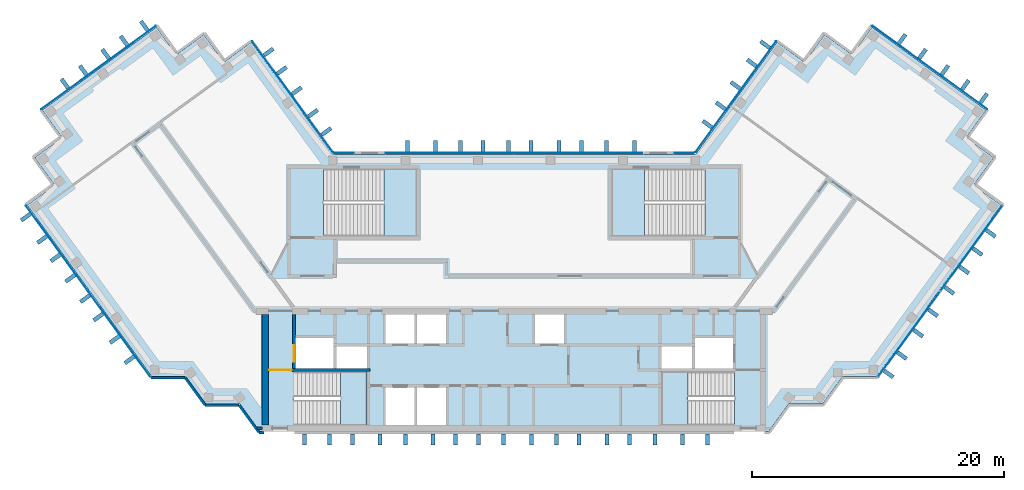
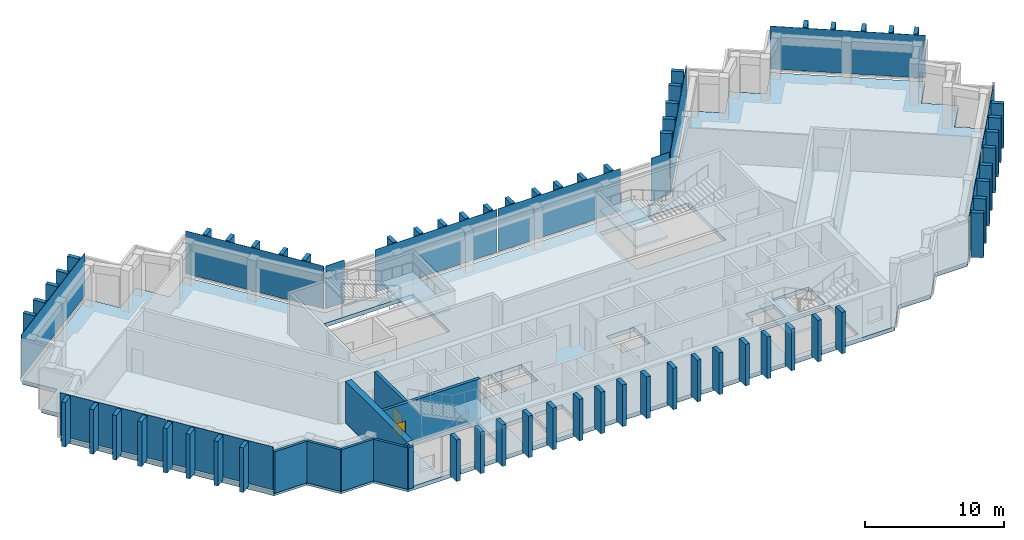
"""IFC4 building model written with IfcOpenShell, lengths in metres."""

import ifcopenshell
import ifcopenshell.guid

model = None  # the IFC model being written
_history = None  # IfcOwnerHistory: only IFC2X3 demands one
_inside = {}  # id of a spatial element -> (the spatial element, [elements in it])
_under = {}  # id of a project, library or spatial element -> (it, [spatial elements below it])
_declared = {}  # id of a project -> (the project, [libraries it declares])
_typed = {}  # id of a type object -> (the type object, [elements of that type])
_made_of = {}  # id of a material, layer set ... -> (it, [elements and type objects made of it])


def new_model(schema):
    """Start an empty IFC model of exactly this schema.

    Asked for "IFC4X3", IfcOpenShell would pick the latest addendum, in which some entities
    have other attributes; the version numbers below select the first issue.
    IFC2X3 requires an IfcOwnerHistory on every rooted entity: one is made here for all.
    """
    global model, _history
    if schema == "IFC4X3":
        model = ifcopenshell.file(schema_version=(4, 3, 0, 0))
    else:
        model = ifcopenshell.file(schema=schema)
    _inside.clear()
    _under.clear()
    _declared.clear()
    _typed.clear()
    _made_of.clear()
    _history = None
    if model.schema == "IFC2X3":
        org = make("IfcOrganization", Name="unknown")
        user = make(
            "IfcPersonAndOrganization",
            ThePerson=make("IfcPerson", FamilyName="unknown"),
            TheOrganization=org,
        )
        app = make(
            "IfcApplication",
            ApplicationDeveloper=org,
            Version="unknown",
            ApplicationFullName="unknown",
            ApplicationIdentifier="unknown",
        )
        _history = make(
            "IfcOwnerHistory",
            OwningUser=user,
            OwningApplication=app,
            ChangeAction="ADDED",
            CreationDate=0,
        )
    return model


def make(cls, **values):
    """One entity of the class cls with the attributes given. An attribute that is None is left unset."""
    return model.create_entity(
        cls, **{name: value for name, value in values.items() if value is not None}
    )


def rooted(cls, **values):
    """An entity with a GlobalId (a new one), such as an element, a storey or a relation."""
    return make(cls, GlobalId=ifcopenshell.guid.new(), OwnerHistory=_history, **values)


def si_unit(unit_type, name, prefix=None):
    """IfcSIUnit, for example si_unit("LENGTHUNIT", "METRE", prefix="MILLI")."""
    return make("IfcSIUnit", UnitType=unit_type, Prefix=prefix, Name=name)


def assignment(units):
    """IfcUnitAssignment: the units of a project."""
    return None if units is None else make("IfcUnitAssignment", Units=units)


def point(xyz):
    """IfcCartesianPoint."""
    return None if xyz is None else make("IfcCartesianPoint", Coordinates=xyz)


def direction(xyz):
    """IfcDirection."""
    return None if xyz is None else make("IfcDirection", DirectionRatios=xyz)


def frame(location, z_axis=None, x_axis=None):
    """IfcAxis2Placement3D, a coordinate frame: its origin and axes. An axis left out is left unset."""
    return make(
        "IfcAxis2Placement3D",
        Location=point(location),
        Axis=direction(z_axis),
        RefDirection=direction(x_axis),
    )


def frame_2d(location, x_axis=None):
    """IfcAxis2Placement2D, a coordinate frame in the plane: its origin and x axis."""
    return make(
        "IfcAxis2Placement2D", Location=point(location), RefDirection=direction(x_axis)
    )


def origin():
    """The frame at (0, 0, 0) with its axes left unset."""
    return frame((0.0, 0.0, 0.0))


def origin_2d():
    """The frame at (0, 0) in the plane with its x axis left unset."""
    return frame_2d((0.0, 0.0))


def place(relative_to, where):
    """IfcLocalPlacement: puts the frame where relative to a parent placement (None: the world)."""
    return make(
        "IfcLocalPlacement", PlacementRelTo=relative_to, RelativePlacement=where
    )


def context(
    kind, dimensions, precision=None, world=None, true_north=None, identifier=None
):
    """IfcGeometricRepresentationContext, for example the 3D "Model" context."""
    return make(
        "IfcGeometricRepresentationContext",
        ContextIdentifier=identifier,
        ContextType=kind,
        CoordinateSpaceDimension=dimensions,
        Precision=precision,
        WorldCoordinateSystem=world,
        TrueNorth=true_north,
    )


def subcontext(parent, identifier, kind, view, scale=None):
    """IfcGeometricRepresentationSubContext, for example "Body" below "Model"."""
    return make(
        "IfcGeometricRepresentationSubContext",
        ContextIdentifier=identifier,
        ContextType=kind,
        ParentContext=parent,
        TargetScale=scale,
        TargetView=view,
    )


def project(units=None, contexts=None):
    """IfcProject with its units and contexts."""
    return rooted(
        "IfcProject",
        Name="project",
        RepresentationContexts=contexts,
        UnitsInContext=assignment(units),
    )


def spatial(cls, under=None, at=None, **own):
    """A site, building, storey or space (cls), placed at a placement, below another one or the project."""
    s = rooted(cls, ObjectPlacement=at, **own)
    if under is not None:
        _under.setdefault(under.id(), (under, []))[1].append(s)
    return s


def polyline(points):
    """IfcPolyline through the points."""
    return make("IfcPolyline", Points=[point(p) for p in points])


def profile(cls, at=None, kind="AREA", **sizes):
    """A parametric profile (cls). Its sizes go by their IFC names, for example OverallWidth=200.0."""
    return make(cls, ProfileType=kind, Position=at, **sizes)


def rectangle(**sizes):
    """IfcRectangleProfileDef."""
    return profile("IfcRectangleProfileDef", **sizes)


def outline(outer, holes=None, kind="AREA"):
    """IfcArbitraryClosedProfileDef: a profile drawn as a closed curve; with holes, ...WithVoids."""
    if holes is None:
        return make("IfcArbitraryClosedProfileDef", ProfileType=kind, OuterCurve=outer)
    return make(
        "IfcArbitraryProfileDefWithVoids",
        ProfileType=kind,
        OuterCurve=outer,
        InnerCurves=holes,
    )


def extrude(swept, where, along, depth):
    """IfcExtrudedAreaSolid: the profile swept, set in the frame where, extruded along a direction by depth."""
    return make(
        "IfcExtrudedAreaSolid",
        SweptArea=swept,
        Position=where,
        ExtrudedDirection=direction(along),
        Depth=depth,
    )


def shape(context_of_items, identifier, shape_type, items):
    """IfcShapeRepresentation: the items that make up one representation, for example the "Body"."""
    return make(
        "IfcShapeRepresentation",
        ContextOfItems=context_of_items,
        RepresentationIdentifier=identifier,
        RepresentationType=shape_type,
        Items=items,
    )


def material(Name=None, Category=None):
    """IfcMaterial."""
    return make("IfcMaterial", Name=Name, Category=Category)


def layer(
    of_material, thickness, ventilated=None, Name=None, Category=None, Priority=None
):
    """IfcMaterialLayer: one layer of a wall or slab, of a material (None: an air gap)."""
    return make(
        "IfcMaterialLayer",
        Material=of_material,
        LayerThickness=thickness,
        IsVentilated=ventilated,
        Name=Name,
        Category=Category,
        Priority=Priority,
    )


def layer_set(layers, Name=None):
    """IfcMaterialLayerSet."""
    return make("IfcMaterialLayerSet", MaterialLayers=layers, LayerSetName=Name)


def made_of(thing, what):
    """Note that an element or type object is made of a material, layer set ...; save() writes the relation."""
    if what is not None:
        _made_of.setdefault(what.id(), (what, []))[1].append(thing)
    return thing


def type_object(cls, material=None, **own):
    """A type object (cls), such as IfcWallType, which elements share."""
    return made_of(rooted(cls, **own), material)


def element(
    cls,
    number,
    at=None,
    inside=None,
    cuts=None,
    type_object=None,
    material=None,
    context=None,
    identifier="Body",
    shape_type=None,
    held_by="IfcProductDefinitionShape",
    body=None,
    shapes=None,
    **own,
):
    """One element of the class cls, such as IfcWall. Its Tag is "e" and its number.

    at: its placement. inside: the storey or other place that contains it. cuts: it is an
    opening in that element (IfcRelVoidsElement). A single representation is given by context,
    identifier, shape_type and body (its items); several are given by shapes. held_by: the class
    of the entity that holds the representations. save() writes the other relations.
    """
    e = rooted(cls, Tag="e%d" % number, ObjectPlacement=at, **own)
    if body is not None:
        shapes = [shape(context, identifier, shape_type, body)]
    if shapes is not None:
        e.Representation = make(held_by, Representations=shapes)
    if inside is not None:
        _inside.setdefault(inside.id(), (inside, []))[1].append(e)
    if cuts is not None:
        rooted(
            "IfcRelVoidsElement", RelatingBuildingElement=cuts, RelatedOpeningElement=e
        )
    if type_object is not None:
        _typed.setdefault(type_object.id(), (type_object, []))[1].append(e)
    return made_of(e, material)


def fill(opening, filler):
    """IfcRelFillsElement: the door or window that sits in an opening."""
    return rooted(
        "IfcRelFillsElement",
        RelatingOpeningElement=opening,
        RelatedBuildingElement=filler,
    )


def aggregate(whole, parts):
    """IfcRelAggregates: a whole, such as a stair, and the parts it consists of."""
    return rooted("IfcRelAggregates", RelatingObject=whole, RelatedObjects=parts)


def save(model, path):
    """Write the relations noted so far, then the file.

    IfcRelAggregates (storeys below a building ...), IfcRelContainedInSpatialStructure (elements
    in a storey), IfcRelDefinesByType, IfcRelAssociatesMaterial and IfcRelDeclares: one each for
    every whole, place, type object, material and project.
    """
    for whole, parts in _under.values():
        aggregate(whole, parts)
    for where, things in _inside.values():
        rooted(
            "IfcRelContainedInSpatialStructure",
            RelatedElements=things,
            RelatingStructure=where,
        )
    for kind, things in _typed.values():
        rooted("IfcRelDefinesByType", RelatedObjects=things, RelatingType=kind)
    for what, things in _made_of.values():
        rooted("IfcRelAssociatesMaterial", RelatedObjects=things, RelatingMaterial=what)
    for by, libraries in _declared.values():
        rooted("IfcRelDeclares", RelatingContext=by, RelatedDefinitions=libraries)
    model.write(path)


model = new_model("IFC4")

# Units and contexts
model_context = context("Model", 3, precision=1e-05, world=origin(), true_north=direction((0.0, 1.0)))
body_context = subcontext(model_context, "Body", "Model", "MODEL_VIEW")
ifc_project = project(units=[si_unit("LENGTHUNIT", "METRE"), si_unit("AREAUNIT", "SQUARE_METRE"), si_unit("VOLUMEUNIT", "CUBIC_METRE"), si_unit("PLANEANGLEUNIT", "RADIAN"), si_unit("MASSUNIT", "GRAM", prefix="KILO")], contexts=[model_context])

# Site, building, storey
site_placement = place(None, origin())
site = spatial("IfcSite", under=ifc_project, at=site_placement, CompositionType="ELEMENT")
building_placement = place(site_placement, origin())
building = spatial("IfcBuilding", under=site, at=building_placement, Name="Quipu Civic Tower", CompositionType="ELEMENT")
storey_1_placement = place(building_placement, frame((0.0, 0.0, 307.0)))
storey_1 = spatial("IfcBuildingStorey", under=building, at=storey_1_placement, Name="L71", CompositionType="ELEMENT", Elevation=307.0)

# Slab
ifc_material_1 = material(Name="Concrete C40/50", Category="concrete")
ifc_layer_1 = layer(ifc_material_1, 0.35009765625)
ifc_layer_set_1 = layer_set([ifc_layer_1], Name="Concrete C40/50")
slab_type_1 = type_object("IfcSlabType", Name="Floor slab 350 C40/50", PredefinedType="FLOOR", material=ifc_layer_set_1)
slab_1_placement = place(storey_1_placement, frame((0.0, 0.0, -0.35009765625)))
element("IfcSlab", 1, at=slab_1_placement, inside=storey_1, type_object=slab_type_1, Name="Floor slab L71", PredefinedType="FLOOR", context=body_context, shape_type="SweptSolid", body=[
    extrude(outline(polyline([(20.860107421875, 19.89501953125), (23.0400390625, 18.31005859375), (24.6298828125, 20.4951171875), (26.81494140625, 18.905029296875), (28.39990234375, 21.090087890625), (37.4599609375, 14.5048828125), (35.875, 12.320068359375), (38.06005859375, 10.735107421875), (36.469970703125, 8.550048828125), (38.655029296875, 6.965087890625), (28.780029296875, -6.6298828125), (26.080078125, -6.6298828125), (24.489990234375, -8.81494140625), (21.7900390625, -8.81494140625), (20.205078125, -11.0), (-20.205078125, -11.0), (-21.7900390625, -8.81494140625), (-24.489990234375, -8.81494140625), (-26.080078125, -6.6298828125), (-28.780029296875, -6.6298828125), (-38.655029296875, 6.965087890625), (-36.469970703125, 8.550048828125), (-38.06005859375, 10.735107421875), (-35.875, 12.320068359375), (-37.4599609375, 14.5048828125), (-28.39990234375, 21.090087890625), (-26.81494140625, 18.905029296875), (-24.6298828125, 20.4951171875), (-23.0400390625, 18.31005859375), (-20.860107421875, 19.89501953125), (-14.39501953125, 11.0), (14.39501953125, 11.0), (20.860107421875, 19.89501953125)]), holes=[polyline([(-10.199951171875, -10.5), (-7.89990234375, -10.5), (-7.89990234375, -7.5), (-10.199951171875, -7.5), (-10.199951171875, -10.5)]), polyline([(-7.699951171875, -7.5), (-7.699951171875, -10.5), (-5.39990234375, -10.5), (-5.39990234375, -7.5), (-7.699951171875, -7.5)]), polyline([(-11.705078125, -6.2548828125), (-17.4951171875, -6.2548828125), (-17.4951171875, -10.4951171875), (-11.705078125, -10.4951171875), (-11.705078125, -6.2548828125)]), polyline([(-14.10009765625, -6.0), (-11.699951171875, -6.0), (-11.699951171875, -4.25), (-14.10009765625, -4.25), (-14.10009765625, -6.0)]), polyline([(-17.35009765625, -3.60009765625), (-17.35009765625, -6.0), (-14.35009765625, -6.0), (-14.35009765625, -3.60009765625), (-17.35009765625, -3.60009765625)]), polyline([(-10.199951171875, -1.699951171875), (-10.199951171875, -4.0), (-7.89990234375, -4.0), (-7.89990234375, -1.699951171875), (-10.199951171875, -1.699951171875)]), polyline([(-15.14501953125, 9.844970703125), (-15.14501953125, 4.5048828125), (-7.7548828125, 4.5048828125), (-7.7548828125, 9.844970703125), (-15.14501953125, 9.844970703125)]), polyline([(11.705078125, -10.4951171875), (17.4951171875, -10.4951171875), (17.4951171875, -6.2548828125), (11.705078125, -6.2548828125), (11.705078125, -10.4951171875)]), polyline([(11.699951171875, -4.25), (11.699951171875, -6.0), (14.10009765625, -6.0), (14.10009765625, -4.25), (11.699951171875, -4.25)]), polyline([(14.35009765625, -3.60009765625), (14.35009765625, -6.0), (17.35009765625, -6.0), (17.35009765625, -3.60009765625), (14.35009765625, -3.60009765625)]), polyline([(-7.699951171875, -1.699951171875), (-7.699951171875, -4.0), (-5.39990234375, -4.0), (-5.39990234375, -1.699951171875), (-7.699951171875, -1.699951171875)]), polyline([(1.64990234375, -1.699951171875), (1.64990234375, -4.0), (3.949951171875, -4.0), (3.949951171875, -1.699951171875), (1.64990234375, -1.699951171875)]), polyline([(7.7548828125, 4.5048828125), (15.14501953125, 4.5048828125), (15.14501953125, 9.844970703125), (7.7548828125, 9.844970703125), (7.7548828125, 4.5048828125)])]), origin(), (0.0, 0.0, 1.0), 0.35009765625),
])

# Curtain wall, plates
ifc_material_2 = material(Name="Insulated glass unit", Category="glass")
curtain_wall_type = type_object("IfcCurtainWallType", Name="Office curtain wall CW1", PredefinedType="NOTDEFINED", material=ifc_material_2)
curtain_wall_1_placement = place(storey_1_placement, origin())
curtain_wall_1 = element("IfcCurtainWall", 2, at=curtain_wall_1_placement, inside=storey_1, type_object=curtain_wall_type, Name="Office curtain wall CW1 L71 run 1", PredefinedType="NOTDEFINED")
ifc_material_3 = material(Name="Insulated glass unit", Category="glass")
ifc_layer_2 = layer(ifc_material_3, 0.028076171875)
ifc_layer_set_2 = layer_set([ifc_layer_2], Name="Insulated glass unit")
plate_type_1 = type_object("IfcPlateType", Name="Glass panel CW1", PredefinedType="CURTAIN_PANEL", material=ifc_layer_set_2)
plate_1_placement = place(storey_1_placement, frame((31.333251953125, -3.285888671875, 0.240234375), z_axis=(0.0, 0.0, 1.0), x_axis=(0.587786237643, 0.809016278475, 0.0)))
plate_1 = element("IfcPlate", 3, at=plate_1_placement, type_object=plate_type_1, Name="CW1 panel 1.1", PredefinedType="CURTAIN_PANEL", context=body_context, shape_type="SweptSolid", body=[
    extrude(rectangle(XDim=8.35791015625, YDim=0.028076171875, at=origin_2d()), origin(), (0.0, 0.0, 1.0), 3.679931640625),
])
plate_2_placement = place(storey_1_placement, frame((36.292724609375, 3.54052734375, 0.240234375), z_axis=(0.0, 0.0, 1.0), x_axis=(0.587786237643, 0.809016278475, 0.0)))
plate_2 = element("IfcPlate", 4, at=plate_2_placement, type_object=plate_type_1, Name="CW1 panel 2.1", PredefinedType="CURTAIN_PANEL", context=body_context, shape_type="SweptSolid", body=[
    extrude(rectangle(XDim=8.35791015625, YDim=0.028076171875, at=origin_2d()), origin(), (0.0, 0.0, 1.0), 3.679931640625),
])
aggregate(curtain_wall_1, [plate_1, plate_2])

# Storey
storey_2_placement = place(building_placement, frame((0.0, 0.0, 311.0)))
storey_2 = spatial("IfcBuildingStorey", under=building, at=storey_2_placement, Name="L72", CompositionType="ELEMENT", Elevation=311.0)

# Curtain wall, plate
curtain_wall_2_placement = place(storey_2_placement, origin())
curtain_wall_2 = element("IfcCurtainWall", 5, at=curtain_wall_2_placement, inside=storey_2, type_object=curtain_wall_type, Name="Office curtain wall CW1 L71 run 6", PredefinedType="NOTDEFINED")
plate_3_placement = place(storey_1_placement, frame((32.989990234375, 17.87939453125, 0.240234375), z_axis=(0.0, 0.0, 1.0), x_axis=(-0.809015176832, 0.587787753918, 0.0)))
plate_3 = element("IfcPlate", 6, at=plate_3_placement, inside=storey_1, type_object=plate_type_1, Name="CW1 panel 1.1", PredefinedType="CURTAIN_PANEL", context=body_context, shape_type="SweptSolid", body=[
    extrude(rectangle(XDim=11.239990234375, YDim=0.028076171875, at=origin_2d()), origin(), (0.0, 0.0, 1.0), 3.760009765625),
])
aggregate(curtain_wall_2, [plate_3])

curtain_wall_3_placement = place(storey_2_placement, origin())
curtain_wall_3 = element("IfcCurtainWall", 7, at=curtain_wall_3_placement, inside=storey_2, type_object=curtain_wall_type, Name="Office curtain wall CW1 L71 run 11", PredefinedType="NOTDEFINED")
plate_4_placement = place(storey_1_placement, frame((17.590087890625, 15.5673828125, 0.240234375), z_axis=(0.0, 0.0, 1.0), x_axis=(-0.587787771652, -0.809015163947, 0.0)))
plate_4 = element("IfcPlate", 8, at=plate_4_placement, inside=storey_1, type_object=plate_type_1, Name="CW1 panel 1.1", PredefinedType="CURTAIN_PANEL", context=body_context, shape_type="SweptSolid", body=[
    extrude(rectangle(XDim=10.88427734375, YDim=0.028076171875, at=origin_2d()), origin(), (0.0, 0.0, 1.0), 3.760009765625),
])
aggregate(curtain_wall_3, [plate_4])

curtain_wall_4_placement = place(storey_2_placement, origin())
curtain_wall_4 = element("IfcCurtainWall", 9, at=curtain_wall_4_placement, inside=storey_2, type_object=curtain_wall_type, Name="Office curtain wall CW1 L71 run 12", PredefinedType="NOTDEFINED")
plate_5_placement = place(storey_1_placement, frame((13.49951171875, 11.10009765625, 0.240234375), z_axis=(0.0, 0.0, 1.0), x_axis=(-1.0, 0.0, 0.0)))
plate_5 = element("IfcPlate", 10, at=plate_5_placement, inside=storey_1, type_object=plate_type_1, Name="CW1 panel 1.1", PredefinedType="CURTAIN_PANEL", context=body_context, shape_type="SweptSolid", body=[
    extrude(rectangle(XDim=1.529296875, YDim=0.028076171875, at=origin_2d()), origin(), (0.0, 0.0, 1.0), 3.760009765625),
])
aggregate(curtain_wall_4, [plate_5])

# Curtain wall, plates
curtain_wall_5_placement = place(storey_2_placement, origin())
curtain_wall_5 = element("IfcCurtainWall", 11, at=curtain_wall_5_placement, inside=storey_2, type_object=curtain_wall_type, Name="Office curtain wall CW1 L71 run 14", PredefinedType="NOTDEFINED")
plate_6_placement = place(storey_1_placement, frame((5.11181640625, 11.10009765625, 0.240234375), z_axis=(0.0, 0.0, 1.0), x_axis=(-1.0, 0.0, 0.0)))
plate_6 = element("IfcPlate", 12, at=plate_6_placement, inside=storey_1, type_object=plate_type_1, Name="CW1 panel 1.1", PredefinedType="CURTAIN_PANEL", context=body_context, shape_type="SweptSolid", body=[
    extrude(rectangle(XDim=10.1435546875, YDim=0.028076171875, at=origin_2d()), origin(), (0.0, 0.0, 1.0), 3.760009765625),
])
plate_7_placement = place(storey_1_placement, frame((-5.11181640625, 11.10009765625, 0.240234375), z_axis=(0.0, 0.0, 1.0), x_axis=(-1.0, 0.0, 0.0)))
plate_7 = element("IfcPlate", 13, at=plate_7_placement, inside=storey_1, type_object=plate_type_1, Name="CW1 panel 2.1", PredefinedType="CURTAIN_PANEL", context=body_context, shape_type="SweptSolid", body=[
    extrude(rectangle(XDim=10.1435546875, YDim=0.028076171875, at=origin_2d()), origin(), (0.0, 0.0, 1.0), 3.760009765625),
])
aggregate(curtain_wall_5, [plate_6, plate_7])

# Curtain wall, plate
curtain_wall_6_placement = place(storey_2_placement, origin())
curtain_wall_6 = element("IfcCurtainWall", 14, at=curtain_wall_6_placement, inside=storey_2, type_object=curtain_wall_type, Name="Office curtain wall CW1 L71 run 16", PredefinedType="NOTDEFINED")
plate_8_placement = place(storey_1_placement, frame((-13.49951171875, 11.10009765625, 0.240234375), z_axis=(0.0, 0.0, 1.0), x_axis=(-1.0, 0.0, 0.0)))
plate_8 = element("IfcPlate", 15, at=plate_8_placement, inside=storey_1, type_object=plate_type_1, Name="CW1 panel 1.1", PredefinedType="CURTAIN_PANEL", context=body_context, shape_type="SweptSolid", body=[
    extrude(rectangle(XDim=1.529296875, YDim=0.028076171875, at=origin_2d()), origin(), (0.0, 0.0, 1.0), 3.760009765625),
])
aggregate(curtain_wall_6, [plate_8])

curtain_wall_7_placement = place(storey_2_placement, origin())
curtain_wall_7 = element("IfcCurtainWall", 16, at=curtain_wall_7_placement, inside=storey_2, type_object=curtain_wall_type, Name="Office curtain wall CW1 L71 run 17", PredefinedType="NOTDEFINED")
plate_9_placement = place(storey_1_placement, frame((-17.590087890625, 15.5673828125, 0.240234375), z_axis=(0.0, 0.0, 1.0), x_axis=(-0.587787771652, 0.809015163947, 0.0)))
plate_9 = element("IfcPlate", 17, at=plate_9_placement, inside=storey_1, type_object=plate_type_1, Name="CW1 panel 1.1", PredefinedType="CURTAIN_PANEL", context=body_context, shape_type="SweptSolid", body=[
    extrude(rectangle(XDim=10.88427734375, YDim=0.028076171875, at=origin_2d()), origin(), (0.0, 0.0, 1.0), 3.760009765625),
])
aggregate(curtain_wall_7, [plate_9])

curtain_wall_8_placement = place(storey_2_placement, origin())
curtain_wall_8 = element("IfcCurtainWall", 18, at=curtain_wall_8_placement, inside=storey_2, type_object=curtain_wall_type, Name="Office curtain wall CW1 L71 run 22", PredefinedType="NOTDEFINED")
plate_10_placement = place(storey_1_placement, frame((-32.989990234375, 17.87939453125, 0.240234375), z_axis=(0.0, 0.0, 1.0), x_axis=(-0.809015176832, -0.587787753918, 0.0)))
plate_10 = element("IfcPlate", 19, at=plate_10_placement, inside=storey_1, type_object=plate_type_1, Name="CW1 panel 1.1", PredefinedType="CURTAIN_PANEL", context=body_context, shape_type="SweptSolid", body=[
    extrude(rectangle(XDim=11.239990234375, YDim=0.028076171875, at=origin_2d()), origin(), (0.0, 0.0, 1.0), 3.760009765625),
])
aggregate(curtain_wall_8, [plate_10])

# Curtain wall, plates
curtain_wall_9_placement = place(storey_2_placement, origin())
curtain_wall_9 = element("IfcCurtainWall", 20, at=curtain_wall_9_placement, inside=storey_2, type_object=curtain_wall_type, Name="Office curtain wall CW1 L71 run 27", PredefinedType="NOTDEFINED")
plate_11_placement = place(storey_1_placement, frame((-36.292724609375, 3.54052734375, 0.240234375), z_axis=(0.0, 0.0, 1.0), x_axis=(0.587786237643, -0.809016278475, 0.0)))
plate_11 = element("IfcPlate", 21, at=plate_11_placement, inside=storey_1, type_object=plate_type_1, Name="CW1 panel 1.1", PredefinedType="CURTAIN_PANEL", context=body_context, shape_type="SweptSolid", body=[
    extrude(rectangle(XDim=8.35791015625, YDim=0.028076171875, at=origin_2d()), origin(), (0.0, 0.0, 1.0), 3.760009765625),
])
plate_12_placement = place(storey_1_placement, frame((-31.333251953125, -3.285888671875, 0.240234375), z_axis=(0.0, 0.0, 1.0), x_axis=(0.587786237643, -0.809016278475, 0.0)))
plate_12 = element("IfcPlate", 22, at=plate_12_placement, inside=storey_1, type_object=plate_type_1, Name="CW1 panel 2.1", PredefinedType="CURTAIN_PANEL", context=body_context, shape_type="SweptSolid", body=[
    extrude(rectangle(XDim=8.35791015625, YDim=0.028076171875, at=origin_2d()), origin(), (0.0, 0.0, 1.0), 3.760009765625),
])
aggregate(curtain_wall_9, [plate_11, plate_12])

# Plates
ifc_material_4 = material(Name="Precast concrete C40/50", Category="concrete")
plate_type_2 = type_object("IfcPlateType", Name="Precast fin F3", PredefinedType="SHEET", material=ifc_material_4)
for number, where, z_axis, x_axis, name in (
    (23, (29.721923828125, -6.43896484375, 0.080078125), (0.0, 0.0, 1.0), (0.587786668783, 0.809015965233, 0.0), "Precast fin F3 L71.1.1"),
    (24, (30.780029296875, -4.982666015625, 0.080078125), (0.0, 0.0, 1.0), (0.587786668783, 0.809015965233, 0.0), "Precast fin F3 L71.1.2"),
    (25, (32.0732421875, -3.202880859375, 0.080078125), (0.0, 0.0, 1.0), (0.587786668783, 0.809015965233, 0.0), "Precast fin F3 L71.1.3"),
    (26, (33.248779296875, -1.5849609375, 0.080078125), (0.0, 0.0, 1.0), (0.587786668783, 0.809015965233, 0.0), "Precast fin F3 L71.1.4"),
    (27, (34.541748046875, 0.195068359375, 0.080078125), (0.0, 0.0, 1.0), (0.587786668783, 0.809015965233, 0.0), "Precast fin F3 L71.1.5"),
    (28, (35.717529296875, 1.81298828125, 0.080078125), (0.0, 0.0, 1.0), (0.587786668783, 0.809015965233, 0.0), "Precast fin F3 L71.1.6"),
    (29, (36.775390625, 3.269287109375, 0.080078125), (0.0, 0.0, 1.0), (0.587786668783, 0.809015965233, 0.0), "Precast fin F3 L71.1.7"),
    (30, (37.83349609375, 4.725341796875, 0.080078125), (0.0, 0.0, 1.0), (0.587786668783, 0.809015965233, 0.0), "Precast fin F3 L71.1.8"),
    (31, (37.26953125, 15.449951171875, 0.080078125), (0.0, 0.0, 1.0), (-0.809017072762, 0.587785144401, 0.0), "Precast fin F3 L71.6.1"),
    (32, (35.813232421875, 16.508056640625, 0.080078125), (0.0, 0.0, 1.0), (-0.809017072762, 0.587785144401, 0.0), "Precast fin F3 L71.6.2"),
    (33, (34.1953125, 17.68359375, 0.080078125), (0.0, 0.0, 1.0), (-0.809017072762, 0.587785144401, 0.0), "Precast fin F3 L71.6.3"),
    (34, (32.415283203125, 18.976806640625, 0.080078125), (0.0, 0.0, 1.0), (-0.809017072762, 0.587785144401, 0.0), "Precast fin F3 L71.6.4"),
    (35, (30.79736328125, 20.15234375, 0.080078125), (0.0, 0.0, 1.0), (-0.809017072762, 0.587785144401, 0.0), "Precast fin F3 L71.6.5"),
    (36, (19.914794921875, 19.702880859375, 0.080078125), (0.0, 0.0, 1.0), (-0.58778443384, -0.809017589015, 0.0), "Precast fin F3 L71.11.1"),
    (37, (18.856689453125, 18.246826171875, 0.080078125), (0.0, 0.0, 1.0), (-0.58778443384, -0.809017589015, 0.0), "Precast fin F3 L71.11.2"),
    (38, (17.563720703125, 16.466796875, 0.080078125), (0.0, 0.0, 1.0), (-0.58778443384, -0.809017589015, 0.0), "Precast fin F3 L71.11.3"),
    (39, (16.38818359375, 14.848876953125, 0.080078125), (0.0, 0.0, 1.0), (-0.58778443384, -0.809017589015, 0.0), "Precast fin F3 L71.11.4"),
    (40, (15.330078125, 13.392578125, 0.080078125), (0.0, 0.0, 1.0), (-0.58778443384, -0.809017589015, 0.0), "Precast fin F3 L71.11.5"),
    (41, (9.5400390625, 11.64990234375, 0.080078125), (0.0, 0.0, 1.0), (-1.0, 0.0, 0.0), "Precast fin F3 L71.14.1"),
    (42, (7.340087890625, 11.64990234375, 0.080078125), (0.0, 0.0, 1.0), (-1.0, 0.0, 0.0), "Precast fin F3 L71.14.2"),
    (43, (5.340087890625, 11.64990234375, 0.080078125), (0.0, 0.0, 1.0), (-1.0, 0.0, 0.0), "Precast fin F3 L71.14.3"),
    (44, (3.5400390625, 11.64990234375, 0.080078125), (0.0, 0.0, 1.0), (-1.0, 0.0, 0.0), "Precast fin F3 L71.14.4"),
    (45, (1.340087890625, 11.64990234375, 0.080078125), (0.0, 0.0, 1.0), (-1.0, 0.0, 0.0), "Precast fin F3 L71.14.5"),
    (46, (-0.4599609375, 11.64990234375, 0.080078125), (0.0, 0.0, 1.0), (-1.0, 0.0, 0.0), "Precast fin F3 L71.14.6"),
    (47, (-2.4599609375, 11.64990234375, 0.080078125), (0.0, 0.0, 1.0), (-1.0, 0.0, 0.0), "Precast fin F3 L71.14.7"),
    (48, (-4.260009765625, 11.64990234375, 0.080078125), (0.0, 0.0, 1.0), (-1.0, 0.0, 0.0), "Precast fin F3 L71.14.8"),
    (49, (-6.260009765625, 11.64990234375, 0.080078125), (0.0, 0.0, 1.0), (-1.0, 0.0, 0.0), "Precast fin F3 L71.14.9"),
    (50, (-8.4599609375, 11.64990234375, 0.080078125), (0.0, 0.0, 1.0), (-1.0, 0.0, 0.0), "Precast fin F3 L71.14.10"),
    (51, (-14.90380859375, 12.805908203125, 0.080078125), (0.0, 0.0, 1.0), (-0.58778443384, 0.809017589015, 0.0), "Precast fin F3 L71.17.1"),
    (52, (-15.9619140625, 14.26220703125, 0.080078125), (0.0, 0.0, 1.0), (-0.58778443384, 0.809017589015, 0.0), "Precast fin F3 L71.17.2"),
    (53, (-17.2548828125, 16.0419921875, 0.080078125), (0.0, 0.0, 1.0), (-0.58778443384, 0.809017589015, 0.0), "Precast fin F3 L71.17.3"),
    (54, (-18.4306640625, 17.66015625, 0.080078125), (0.0, 0.0, 1.0), (-0.58778443384, 0.809017589015, 0.0), "Precast fin F3 L71.17.4"),
    (55, (-19.488525390625, 19.1162109375, 0.080078125), (0.0, 0.0, 1.0), (-0.58778443384, 0.809017589015, 0.0), "Precast fin F3 L71.17.5"),
    (56, (-29.357177734375, 21.198486328125, 0.080078125), (0.0, 0.0, 1.0), (-0.809017072762, -0.587785144401, 0.0), "Precast fin F3 L71.22.1"),
    (57, (-30.975341796875, 20.02294921875, 0.080078125), (0.0, 0.0, 1.0), (-0.809017072762, -0.587785144401, 0.0), "Precast fin F3 L71.22.2"),
    (58, (-32.431640625, 18.96484375, 0.080078125), (0.0, 0.0, 1.0), (-0.809017072762, -0.587785144401, 0.0), "Precast fin F3 L71.22.3"),
    (59, (-34.21142578125, 17.671875, 0.080078125), (0.0, 0.0, 1.0), (-0.809017072762, -0.587785144401, 0.0), "Precast fin F3 L71.22.4"),
    (60, (-35.66748046875, 16.61376953125, 0.080078125), (0.0, 0.0, 1.0), (-0.809017072762, -0.587785144401, 0.0), "Precast fin F3 L71.22.5"),
    (61, (-38.764892578125, 6.007568359375, 0.080078125), (0.0, 0.0, 1.0), (0.587786668783, -0.809015965233, 0.0), "Precast fin F3 L71.27.1"),
    (62, (-37.4716796875, 4.227783203125, 0.080078125), (0.0, 0.0, 1.0), (0.587786668783, -0.809015965233, 0.0), "Precast fin F3 L71.27.2"),
    (63, (-36.413818359375, 2.771484375, 0.080078125), (0.0, 0.0, 1.0), (0.587786668783, -0.809015965233, 0.0), "Precast fin F3 L71.27.3"),
    (64, (-35.23828125, 1.1533203125, 0.080078125), (0.0, 0.0, 1.0), (0.587786668783, -0.809015965233, 0.0), "Precast fin F3 L71.27.4"),
    (65, (-34.062744140625, -0.464599609375, 0.080078125), (0.0, 0.0, 1.0), (0.587786668783, -0.809015965233, 0.0), "Precast fin F3 L71.27.5"),
    (66, (-33.004638671875, -1.9208984375, 0.080078125), (0.0, 0.0, 1.0), (0.587786668783, -0.809015965233, 0.0), "Precast fin F3 L71.27.6"),
    (67, (-31.71142578125, -3.70068359375, 0.080078125), (0.0, 0.0, 1.0), (0.587786668783, -0.809015965233, 0.0), "Precast fin F3 L71.27.7"),
    (68, (-30.535888671875, -5.318603515625, 0.080078125), (0.0, 0.0, 1.0), (0.587786668783, -0.809015965233, 0.0), "Precast fin F3 L71.27.8"),
):
    element("IfcPlate", number, at=place(storey_1_placement, frame(where, z_axis=z_axis, x_axis=x_axis)), inside=storey_1, type_object=plate_type_2, Name=name, PredefinedType="SHEET", context=body_context, shape_type="SweptSolid", body=[
        extrude(rectangle(XDim=0.320068359375, YDim=0.89990234375, at=origin_2d()), origin(), (0.0, 0.0, 1.0), 3.919921875),
    ])
for number, where, z_axis, x_axis, name in (
    (69, (-16.639892578125, -11.637939453125, 0.0), (0.0, 0.0, 1.0), (1.0, 0.0, 0.0), "Precast fin F3 L71.33.1"),
    (70, (-14.639892578125, -11.637939453125, 0.0), (0.0, 0.0, 1.0), (1.0, 0.0, 0.0), "Precast fin F3 L71.33.2"),
    (71, (-12.840087890625, -11.637939453125, 0.0), (0.0, 0.0, 1.0), (1.0, 0.0, 0.0), "Precast fin F3 L71.33.3"),
    (72, (-10.639892578125, -11.637939453125, 0.0), (0.0, 0.0, 1.0), (1.0, 0.0, 0.0), "Precast fin F3 L71.33.4"),
    (73, (-8.639892578125, -11.637939453125, 0.0), (0.0, 0.0, 1.0), (1.0, 0.0, 0.0), "Precast fin F3 L71.33.5"),
    (74, (-6.43994140625, -11.637939453125, 0.0), (0.0, 0.0, 1.0), (1.0, 0.0, 0.0), "Precast fin F3 L71.33.6"),
    (75, (-4.639892578125, -11.637939453125, 0.0), (0.0, 0.0, 1.0), (1.0, 0.0, 0.0), "Precast fin F3 L71.33.7"),
    (76, (-2.840087890625, -11.637939453125, 0.0), (0.0, 0.0, 1.0), (1.0, 0.0, 0.0), "Precast fin F3 L71.33.8"),
    (77, (-0.840087890625, -11.637939453125, 0.0), (0.0, 0.0, 1.0), (1.0, 0.0, 0.0), "Precast fin F3 L71.33.9"),
    (78, (1.360107421875, -11.637939453125, 0.0), (0.0, 0.0, 1.0), (1.0, 0.0, 0.0), "Precast fin F3 L71.33.10"),
    (79, (3.360107421875, -11.637939453125, 0.0), (0.0, 0.0, 1.0), (1.0, 0.0, 0.0), "Precast fin F3 L71.33.11"),
    (80, (5.159912109375, -11.637939453125, 0.0), (0.0, 0.0, 1.0), (1.0, 0.0, 0.0), "Precast fin F3 L71.33.12"),
    (81, (7.360107421875, -11.637939453125, 0.0), (0.0, 0.0, 1.0), (1.0, 0.0, 0.0), "Precast fin F3 L71.33.13"),
    (82, (9.159912109375, -11.637939453125, 0.0), (0.0, 0.0, 1.0), (1.0, 0.0, 0.0), "Precast fin F3 L71.33.14"),
    (83, (11.159912109375, -11.637939453125, 0.0), (0.0, 0.0, 1.0), (1.0, 0.0, 0.0), "Precast fin F3 L71.33.15"),
    (84, (13.360107421875, -11.637939453125, 0.0), (0.0, 0.0, 1.0), (1.0, 0.0, 0.0), "Precast fin F3 L71.33.16"),
    (85, (15.360107421875, -11.637939453125, 0.0), (0.0, 0.0, 1.0), (1.0, 0.0, 0.0), "Precast fin F3 L71.33.17"),
):
    element("IfcPlate", number, at=place(storey_1_placement, frame(where, z_axis=z_axis, x_axis=x_axis)), inside=storey_1, type_object=plate_type_2, Name=name, PredefinedType="SHEET", context=body_context, shape_type="SweptSolid", body=[
        extrude(rectangle(XDim=0.320068359375, YDim=0.89990234375, at=origin_2d()), origin(), (0.0, 0.0, 1.0), 3.64990234375),
    ])

# Stair, slab
ifc_material_5 = material(Name="Concrete C40/50", Category="concrete")
stair_type_1 = type_object("IfcStairType", Name="Half turn stair 2000", PredefinedType="HALF_TURN_STAIR", material=ifc_material_5)
stair_1_placement = place(storey_1_placement, origin())
stair_1 = element("IfcStair", 86, at=stair_1_placement, inside=storey_1, type_object=stair_type_1, Name="Exit stair 1", PredefinedType="HALF_TURN_STAIR")
ifc_material_6 = material(Name="Concrete C40/50", Category="concrete")
ifc_layer_3 = layer(ifc_material_6, 0.199951171875)
ifc_layer_set_3 = layer_set([ifc_layer_3], Name="Concrete C40/50")
slab_type_2 = type_object("IfcSlabType", Name="Stair landing 200", PredefinedType="LANDING", material=ifc_layer_set_3)
slab_2_placement = place(storey_1_placement, frame((0.0, 0.0, 1.800048828125)))
slab_2 = element("IfcSlab", 87, at=slab_2_placement, type_object=slab_type_2, Name="ST-1 landing 1", PredefinedType="LANDING", context=body_context, shape_type="SweptSolid", body=[
    extrude(outline(polyline([(-13.780029296875, -10.5), (-11.699951171875, -10.5), (-11.699951171875, -6.25), (-13.780029296875, -6.25), (-13.780029296875, -10.5)])), origin(), (0.0, 0.0, 1.0), 0.199951171875),
])
aggregate(stair_1, [slab_2])

stair_2_placement = place(storey_1_placement, origin())
stair_2 = element("IfcStair", 88, at=stair_2_placement, inside=storey_1, type_object=stair_type_1, Name="Exit stair 2", PredefinedType="HALF_TURN_STAIR")
slab_3_placement = place(storey_1_placement, frame((0.0, 0.0, 1.800048828125)))
slab_3 = element("IfcSlab", 89, at=slab_3_placement, type_object=slab_type_2, Name="ST-2 landing 1", PredefinedType="LANDING", context=body_context, shape_type="SweptSolid", body=[
    extrude(outline(polyline([(13.780029296875, -6.25), (11.699951171875, -6.25), (11.699951171875, -10.5), (13.780029296875, -10.5), (13.780029296875, -6.25)])), origin(), (0.0, 0.0, 1.0), 0.199951171875),
])
aggregate(stair_2, [slab_3])

ifc_material_7 = material(Name="Concrete C40/50", Category="concrete")
stair_type_2 = type_object("IfcStairType", Name="Half turn stair 2600", PredefinedType="HALF_TURN_STAIR", material=ifc_material_7)
stair_3_placement = place(storey_1_placement, origin())
stair_3 = element("IfcStair", 90, at=stair_3_placement, inside=storey_1, type_object=stair_type_2, Name="Exit stair 3", PredefinedType="HALF_TURN_STAIR")
slab_4_placement = place(storey_1_placement, frame((0.0, 0.0, 1.800048828125)))
slab_4 = element("IfcSlab", 91, at=slab_4_placement, type_object=slab_type_2, Name="ST-3 landing 1", PredefinedType="LANDING", context=body_context, shape_type="SweptSolid", body=[
    extrude(outline(polyline([(-10.35009765625, 4.5), (-7.75, 4.5), (-7.75, 9.85009765625), (-10.35009765625, 9.85009765625), (-10.35009765625, 4.5)])), origin(), (0.0, 0.0, 1.0), 0.199951171875),
])
aggregate(stair_3, [slab_4])

stair_4_placement = place(storey_1_placement, origin())
stair_4 = element("IfcStair", 92, at=stair_4_placement, inside=storey_1, type_object=stair_type_2, Name="Exit stair 4", PredefinedType="HALF_TURN_STAIR")
slab_5_placement = place(storey_1_placement, frame((0.0, 0.0, 1.800048828125)))
slab_5 = element("IfcSlab", 93, at=slab_5_placement, type_object=slab_type_2, Name="ST-4 landing 1", PredefinedType="LANDING", context=body_context, shape_type="SweptSolid", body=[
    extrude(outline(polyline([(10.35009765625, 9.85009765625), (7.75, 9.85009765625), (7.75, 4.5), (10.35009765625, 4.5), (10.35009765625, 9.85009765625)])), origin(), (0.0, 0.0, 1.0), 0.199951171875),
])
aggregate(stair_4, [slab_5])

# Wall, opening, door
ifc_material_8 = material(Name="Concrete C70/85", Category="concrete")
ifc_layer_4 = layer(ifc_material_8, 0.25)
ifc_layer_set_4 = layer_set([ifc_layer_4], Name="Concrete C70/85")
wall_type_1 = type_object("IfcWallType", Name="Core wall 250", PredefinedType="SHEAR", material=ifc_layer_set_4)
wall_1_placement = place(storey_1_placement, frame((-11.449951171875, -6.125, 0.0), z_axis=(0.0, 0.0, 1.0), x_axis=(-1.0, 0.0, 0.0)))
wall_1 = element("IfcWall", 94, at=wall_1_placement, inside=storey_1, type_object=wall_type_1, Name="Core wall", PredefinedType="SHEAR", context=body_context, shape_type="SweptSolid", body=[
    extrude(rectangle(XDim=8.050048828125, YDim=0.25, at=frame_2d((4.02490234375, 0.0))), origin(), (0.0, 0.0, 1.0), 3.64990234375),
])
opening_1_placement = place(wall_1_placement, frame((6.199951171875, 0.0, 0.0)))
opening_1 = element("IfcOpeningElement", 95, at=opening_1_placement, cuts=wall_1, Name="Opening CD-08", PredefinedType="OPENING", context=body_context, shape_type="SweptSolid", body=[
    extrude(rectangle(XDim=1.800048828125, YDim=2.10009765625, at=frame_2d((0.89990234375, 1.050048828125))), frame((0.0, 0.135009765625, 0.0), z_axis=(0.0, -1.0, 0.0), x_axis=(1.0, 0.0, 0.0)), (0.0, 0.0, 1.0), 0.27001953125),
])
ifc_material_9 = material(Name="Fire rated steel door", Category="steel")
door_type_1 = type_object("IfcDoorType", Name="Fire door FD90 double 1800 x 2100", OperationType="NOTDEFINED", PredefinedType="DOOR", material=ifc_material_9)
door_1_placement = place(opening_1_placement, origin())
door_1 = element("IfcDoor", 96, at=door_1_placement, inside=storey_1, type_object=door_type_1, Name="Door", OperationType="DOUBLE_DOOR_SINGLE_SWING", OverallHeight=2.10009765625, OverallWidth=1.800048828125, PredefinedType="DOOR", context=body_context, shape_type="SweptSolid", body=[
    extrude(rectangle(XDim=1.800048828125, YDim=2.10009765625, at=frame_2d((0.89990234375, 1.050048828125))), frame((0.0, 0.02490234375, 0.0), z_axis=(0.0, -1.0, 0.0), x_axis=(1.0, 0.0, 0.0)), (0.0, 0.0, 1.0), 0.050048828125),
])
fill(opening_1, door_1)

wall_2_placement = place(storey_1_placement, frame((-17.47509765625, -6.0, 0.0), z_axis=(0.0, 0.0, 1.0), x_axis=(0.0, 1.0, 0.0)))
wall_2 = element("IfcWall", 97, at=wall_2_placement, inside=storey_1, type_object=wall_type_1, Name="Core wall", PredefinedType="SHEAR", context=body_context, shape_type="SweptSolid", body=[
    extrude(rectangle(XDim=4.300048828125, YDim=0.25, at=frame_2d((2.14990234375, 0.0))), origin(), (0.0, 0.0, 1.0), 3.64990234375),
])
opening_2_placement = place(wall_2_placement, frame((0.550048828125, 0.0, 0.0)))
opening_2 = element("IfcOpeningElement", 98, at=opening_2_placement, cuts=wall_2, Name="Opening LD-FF1", PredefinedType="OPENING", context=body_context, shape_type="SweptSolid", body=[
    extrude(rectangle(XDim=1.300048828125, YDim=2.10009765625, at=frame_2d((0.64990234375, 1.050048828125))), frame((0.0, 0.135009765625, 0.0), z_axis=(0.0, -1.0, 0.0), x_axis=(1.0, 0.0, 0.0)), (0.0, 0.0, 1.0), 0.27001953125),
])
ifc_material_10 = material(Name="Stainless steel", Category="steel")
door_type_2 = type_object("IfcDoorType", Name="Lift landing door 1300 x 2100", OperationType="DOUBLE_DOOR_SLIDING", PredefinedType="DOOR", material=ifc_material_10)
door_2_placement = place(opening_2_placement, origin())
door_2 = element("IfcDoor", 99, at=door_2_placement, inside=storey_1, type_object=door_type_2, Name="Landing door FF1", OperationType="DOUBLE_DOOR_SLIDING", OverallHeight=2.10009765625, OverallWidth=1.300048828125, PredefinedType="DOOR", context=body_context, shape_type="SweptSolid", body=[
    extrude(rectangle(XDim=1.300048828125, YDim=2.10009765625, at=frame_2d((0.64990234375, 1.050048828125))), frame((0.0, 0.02490234375, 0.0), z_axis=(0.0, -1.0, 0.0), x_axis=(1.0, 0.0, 0.0)), (0.0, 0.0, 1.0), 0.050048828125),
])
fill(opening_2, door_2)

# Walls
ifc_material_11 = material(Name="Concrete C70/85", Category="concrete")
ifc_layer_5 = layer(ifc_material_11, 0.5)
ifc_layer_set_5 = layer_set([ifc_layer_5], Name="Concrete C70/85")
wall_type_2 = type_object("IfcWallType", Name="Core wall 500", PredefinedType="SHEAR", material=ifc_layer_set_5)
wall_3_placement = place(storey_1_placement, frame((-19.75, -10.5, 0.0), z_axis=(0.0, 0.0, 1.0), x_axis=(0.0, 1.0, 0.0)))
element("IfcWall", 100, at=wall_3_placement, inside=storey_1, type_object=wall_type_2, Name="Core wall", PredefinedType="SHEAR", context=body_context, shape_type="SweptSolid", body=[
    extrude(rectangle(XDim=8.800048828125, YDim=0.5, at=frame_2d((4.39990234375, 0.0))), origin(), (0.0, 0.0, 1.0), 3.64990234375),
])
ifc_material_12 = material(Name="Precast concrete C40/50", Category="concrete")
wall_type_3 = type_object("IfcWallType", Name="Precast cladding wall", PredefinedType="SOLIDWALL", material=ifc_material_12)
wall_4_placement = place(storey_1_placement, frame((-28.829833984375, -6.71923828125, 0.0), z_axis=(0.0, 0.0, 1.0), x_axis=(1.0, 0.0, 0.0)))
element("IfcWall", 101, at=wall_4_placement, inside=storey_1, type_object=wall_type_3, Name="Precast cladding wall L71 28", PredefinedType="SOLIDWALL", context=body_context, shape_type="SweptSolid", body=[
    extrude(rectangle(XDim=2.699951171875, YDim=0.199951171875, at=frame_2d((1.35009765625, 0.0))), origin(), (0.0, 0.0, 1.0), 3.64990234375),
])
wall_5_placement = place(storey_1_placement, frame((-26.1201171875, -6.72412109375, 0.0), z_axis=(0.0, 0.0, 1.0), x_axis=(0.587720002413, -0.809064397168, 0.0)))
element("IfcWall", 102, at=wall_5_placement, inside=storey_1, type_object=wall_type_3, Name="Precast cladding wall L71 29", PredefinedType="SOLIDWALL", context=body_context, shape_type="SweptSolid", body=[
    extrude(rectangle(XDim=2.7001953125, YDim=0.199951171875, at=frame_2d((1.35009765625, 0.0))), origin(), (0.0, 0.0, 1.0), 3.64990234375),
])
wall_6_placement = place(storey_1_placement, frame((-24.542724609375, -8.90380859375, 0.0), z_axis=(0.0, 0.0, 1.0), x_axis=(1.0, 0.0, 0.0)))
element("IfcWall", 103, at=wall_6_placement, inside=storey_1, type_object=wall_type_3, Name="Precast cladding wall L71 30", PredefinedType="SOLIDWALL", context=body_context, shape_type="SweptSolid", body=[
    extrude(rectangle(XDim=2.699951171875, YDim=0.199951171875, at=frame_2d((1.35009765625, 0.0))), origin(), (0.0, 0.0, 1.0), 3.64990234375),
])
wall_7_placement = place(storey_1_placement, frame((-21.8330078125, -8.90869140625, 0.0), z_axis=(0.0, 0.0, 1.0), x_axis=(0.587766567315, -0.809030569476, 0.0)))
element("IfcWall", 104, at=wall_7_placement, inside=storey_1, type_object=wall_type_3, Name="Precast cladding wall L71 31", PredefinedType="SOLIDWALL", context=body_context, shape_type="SweptSolid", body=[
    extrude(rectangle(XDim=2.687744140625, YDim=0.199951171875, at=frame_2d((1.34375, 0.0))), origin(), (0.0, 0.0, 1.0), 3.64990234375),
])
wall_8_placement = place(storey_1_placement, frame((-20.255859375, -11.087890625, 0.0), z_axis=(0.0, 0.0, 1.0), x_axis=(1.0, 0.0, 0.0)))
element("IfcWall", 105, at=wall_8_placement, inside=storey_1, type_object=wall_type_3, Name="Precast cladding wall L71 32", PredefinedType="SOLIDWALL", context=body_context, shape_type="SweptSolid", body=[
    extrude(rectangle(XDim=0.40576171875, YDim=0.199951171875, at=frame_2d((0.202880859375, 0.0))), origin(), (0.0, 0.0, 1.0), 3.64990234375),
])
wall_9_placement = place(storey_1_placement, frame((-19.97998046875, -10.75, 0.0), z_axis=(0.0, 0.0, 1.0), x_axis=(-1.0, 0.0, 0.0)))
element("IfcWall", 106, at=wall_9_placement, inside=storey_1, type_object=wall_type_3, Name="Precast cladding return L71 W", PredefinedType="SOLIDWALL", context=body_context, shape_type="SweptSolid", body=[
    extrude(rectangle(XDim=0.41650390625, YDim=0.199951171875, at=frame_2d((0.208251953125, 0.0))), origin(), (0.0, 0.0, 1.0), 3.64990234375),
])

save(model, "model.ifc")
